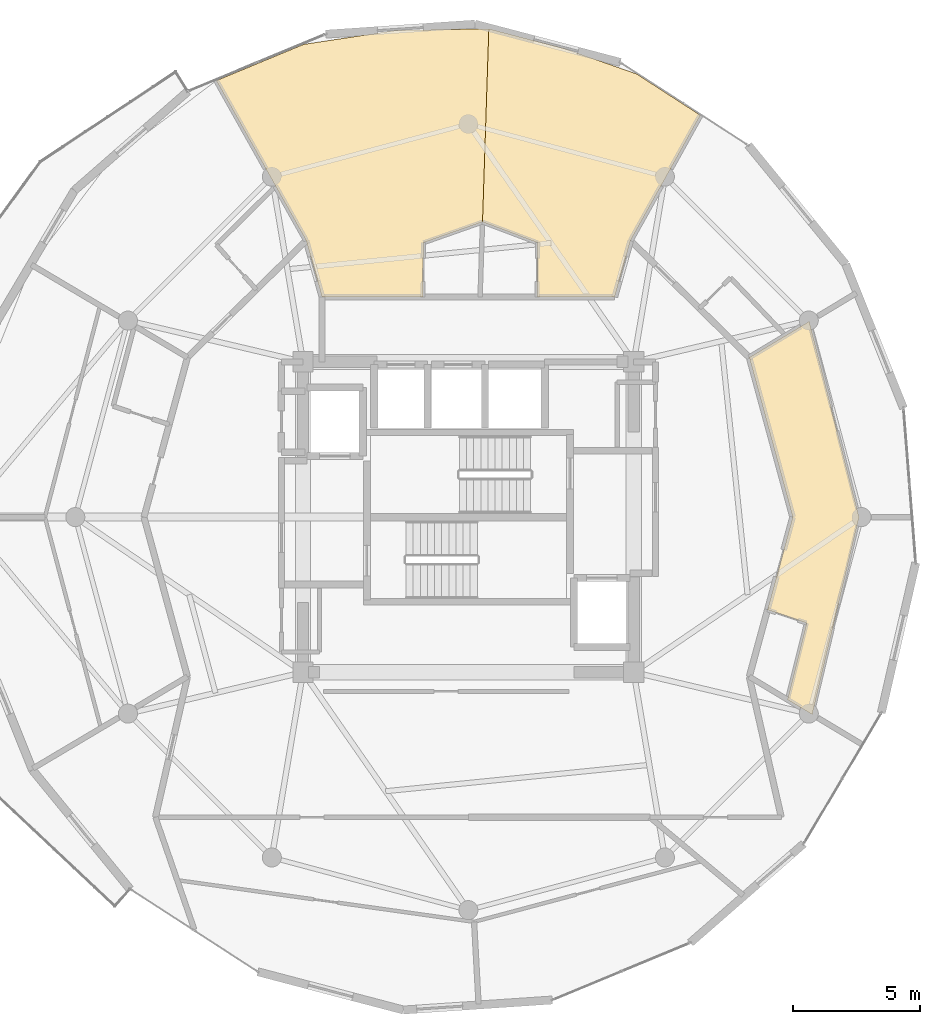
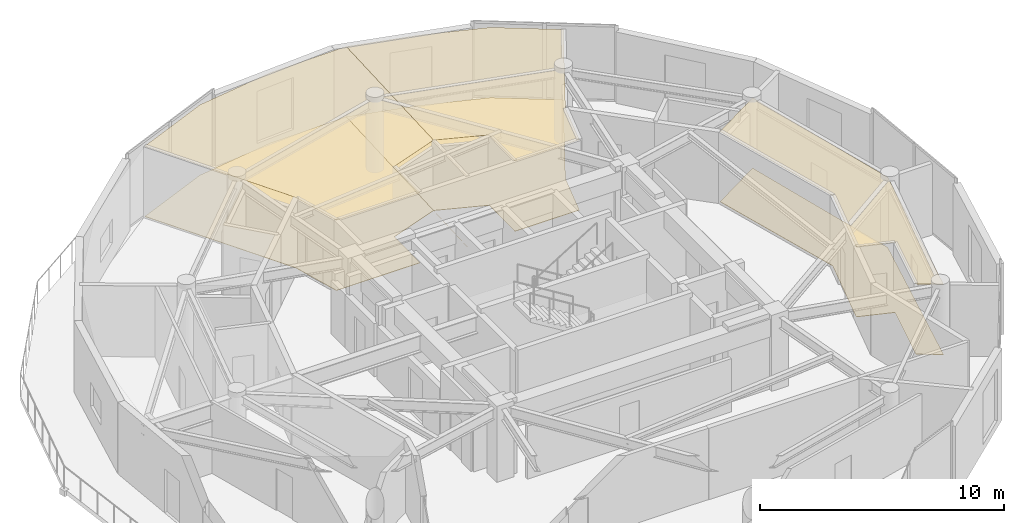
# One storey, part 17 of 17: 6 coverings.
"""IFC4 building model written with IfcOpenShell, lengths in metres."""

from ifc_helpers import new_model, si_unit, direction, frame, origin, place, context, subcontext, project, spatial, polyline, outline, extrude, material, layer, layer_set, type_object, element, save


model = new_model("IFC4")

# Units and contexts
model_context = context("Model", 3, precision=1e-05, world=origin(), true_north=direction((0.0, 1.0)))
body_context = subcontext(model_context, "Body", "Model", "MODEL_VIEW")
ifc_project = project(units=[si_unit("LENGTHUNIT", "METRE"), si_unit("AREAUNIT", "SQUARE_METRE"), si_unit("VOLUMEUNIT", "CUBIC_METRE"), si_unit("PLANEANGLEUNIT", "RADIAN"), si_unit("MASSUNIT", "GRAM", prefix="KILO")], contexts=[model_context])

# Site, building, storey
site_placement = place(None, origin())
site = spatial("IfcSite", under=ifc_project, at=site_placement, CompositionType="ELEMENT")
building_placement = place(site_placement, origin())
building = spatial("IfcBuilding", under=site, at=building_placement, Name="Solvirekh Grand Hotel", CompositionType="ELEMENT")
storey_placement = place(building_placement, frame((0.0, 0.0, 246.800048828125)))
storey = spatial("IfcBuildingStorey", under=building, at=storey_placement, Name="L64", CompositionType="ELEMENT", Elevation=246.800048828125)

# Coverings
ifc_material_1 = material(Name="Acoustic Mineral Ceiling Tile")
ifc_layer_1 = layer(ifc_material_1, 0.02490234375)
ifc_layer_set_1 = layer_set([ifc_layer_1], Name="Acoustic Mineral Ceiling Tile")
covering_type_1 = type_object("IfcCoveringType", Name="Cov_Ceiling_Acoustic", PredefinedType="CEILING", material=ifc_layer_set_1)
covering_1_placement = place(storey_placement, frame((0.0, 0.0, 3.52001953125)))
element("IfcCovering", 1, at=covering_1_placement, inside=storey, type_object=covering_type_1, Name="L64 Deluxe Guestroom 6601 acoustic ceiling", PredefinedType="CEILING", context=body_context, shape_type="SweptSolid", body=[
    extrude(outline(polyline([(0.555908203125, 11.60205078125), (2.721923828125, 10.785888671875), (2.7099609375, 8.64990234375), (5.75, 8.64990234375), (6.375, 10.868896484375), (9.118896484375, 15.7939453125), (6.615966796875, 17.416015625), (3.779052734375, 18.412109375), (0.803955078125, 19.194091796875), (0.555908203125, 11.60205078125)])), origin(), (0.0, 0.0, 1.0), 0.017822265625),
])
covering_2_placement = place(storey_placement, frame((0.0, 0.0, 3.52001953125)))
element("IfcCovering", 2, at=covering_2_placement, inside=storey, type_object=covering_type_1, Name="L64 Panorama Suite 6602 acoustic ceiling", PredefinedType="CEILING", context=body_context, shape_type="SweptSolid", body=[
    extrude(outline(polyline([(-1.7900390625, 8.64990234375), (-1.76708984375, 10.785888671875), (0.555908203125, 11.60205078125), (0.4599609375, 8.64990234375), (0.803955078125, 19.194091796875), (-2.824951171875, 19.132080078125), (-6.470947265625, 18.5810546875), (-9.905029296875, 17.156005859375), (-6.375, 10.868896484375), (-5.75, 8.64990234375), (-1.7900390625, 8.64990234375)])), origin(), (0.0, 0.0, 1.0), 0.017822265625),
])
covering_3_placement = place(storey_placement, frame((0.0, 0.0, 3.52001953125)))
element("IfcCovering", 3, at=covering_3_placement, inside=storey, type_object=covering_type_1, Name="L64 Executive Suite 6605 Living Room acoustic ceiling", PredefinedType="CEILING", context=body_context, shape_type="SweptSolid", body=[
    extrude(outline(polyline([(13.294921875, -4.1630859375), (12.5439453125, -7.176025390625), (13.51611328125, -7.759033203125), (15.35693359375, 0.0), (13.39697265625, 7.69091796875), (11.0419921875, 6.27490234375), (12.75, 0.0), (11.759033203125, -3.639892578125), (13.294921875, -4.1630859375)])), origin(), (0.0, 0.0, 1.0), 0.017822265625),
])
ifc_material_2 = material(Name="Porcelain Stoneware Flooring", Category="masonry")
ifc_layer_2 = layer(ifc_material_2, 0.030029296875)
ifc_layer_set_2 = layer_set([ifc_layer_2], Name="Porcelain Stoneware Flooring")
covering_type_2 = type_object("IfcCoveringType", Name="Cov_Floor_Stone", PredefinedType="FLOORING", material=ifc_layer_set_2)
covering_4_placement = place(storey_placement, origin())
element("IfcCovering", 4, at=covering_4_placement, inside=storey, type_object=covering_type_2, Name="L64 Deluxe Guestroom 6601 polished granite flooring", PredefinedType="FLOORING", context=body_context, shape_type="SweptSolid", body=[
    extrude(outline(polyline([(0.555908203125, 11.60205078125), (2.721923828125, 10.785888671875), (2.7099609375, 8.64990234375), (5.75, 8.64990234375), (6.375, 10.868896484375), (9.118896484375, 15.7939453125), (6.615966796875, 17.416015625), (3.779052734375, 18.412109375), (0.803955078125, 19.194091796875), (0.555908203125, 11.60205078125)])), origin(), (0.0, 0.0, 1.0), 0.02001953125),
])
covering_5_placement = place(storey_placement, origin())
element("IfcCovering", 5, at=covering_5_placement, inside=storey, type_object=covering_type_2, Name="L64 Panorama Suite 6602 polished granite flooring", PredefinedType="FLOORING", context=body_context, shape_type="SweptSolid", body=[
    extrude(outline(polyline([(-1.7900390625, 8.64990234375), (-1.76708984375, 10.785888671875), (0.555908203125, 11.60205078125), (0.4599609375, 8.64990234375), (0.803955078125, 19.194091796875), (-2.824951171875, 19.132080078125), (-6.470947265625, 18.5810546875), (-9.905029296875, 17.156005859375), (-6.375, 10.868896484375), (-5.75, 8.64990234375), (-1.7900390625, 8.64990234375)])), origin(), (0.0, 0.0, 1.0), 0.02001953125),
])
covering_6_placement = place(storey_placement, origin())
element("IfcCovering", 6, at=covering_6_placement, inside=storey, type_object=covering_type_2, Name="L64 Executive Suite 6605 Living Room polished granite flooring", PredefinedType="FLOORING", context=body_context, shape_type="SweptSolid", body=[
    extrude(outline(polyline([(13.294921875, -4.1630859375), (12.5439453125, -7.176025390625), (13.51611328125, -7.759033203125), (15.35693359375, 0.0), (13.39697265625, 7.69091796875), (11.0419921875, 6.27490234375), (12.75, 0.0), (11.759033203125, -3.639892578125), (13.294921875, -4.1630859375)])), origin(), (0.0, 0.0, 1.0), 0.02001953125),
])

save(model, "model.ifc")
